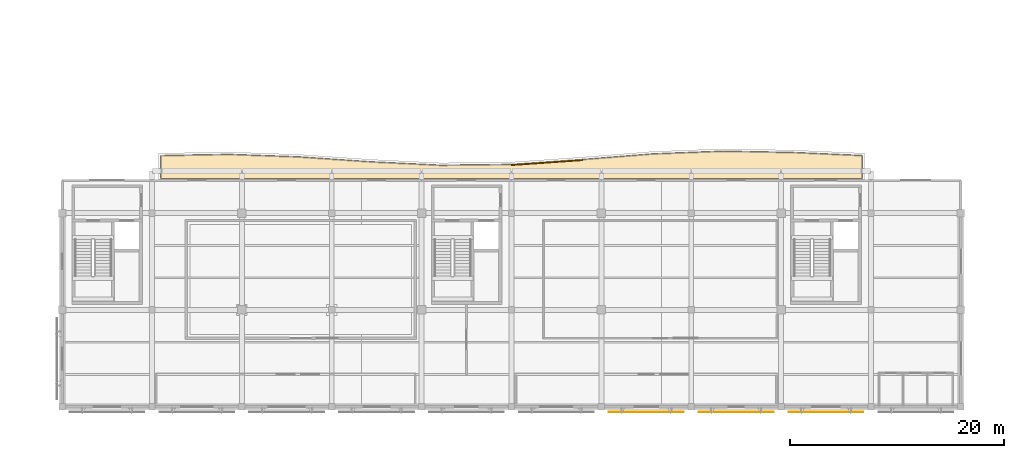
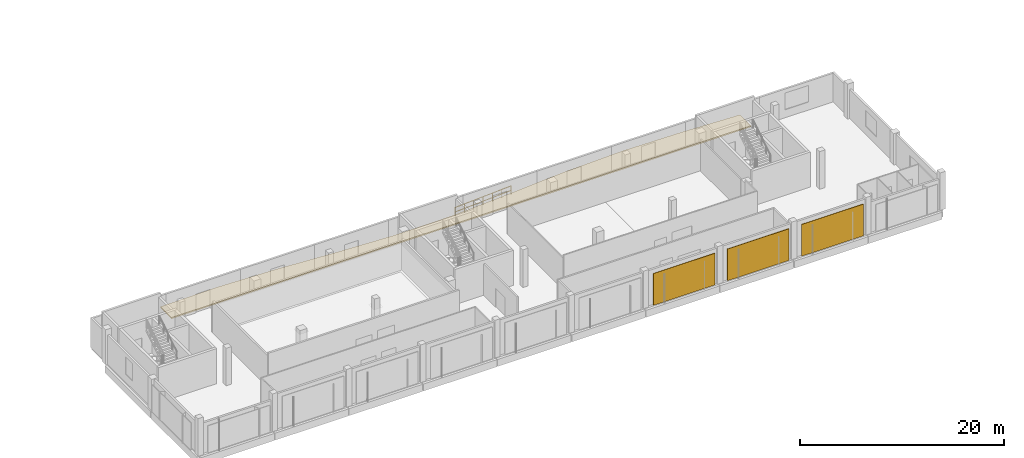
# One storey, part 26 of 28: 3 shading devices, 1 covering, 1 railing.
"""IFC4 building model written with IfcOpenShell, lengths in metres."""

from ifc_helpers import new_model, si_unit, direction, frame, origin, origin_2d, place, context, subcontext, project, spatial, polyline, rectangle, circle, outline, extrude, material, layer, layer_set, type_object, element, save


model = new_model("IFC4")

# Units and contexts
model_context = context("Model", 3, precision=1e-05, world=origin(), true_north=direction((0.0, 1.0)))
body_context = subcontext(model_context, "Body", "Model", "MODEL_VIEW")
ifc_project = project(units=[si_unit("LENGTHUNIT", "METRE"), si_unit("AREAUNIT", "SQUARE_METRE"), si_unit("VOLUMEUNIT", "CUBIC_METRE"), si_unit("PLANEANGLEUNIT", "RADIAN"), si_unit("MASSUNIT", "GRAM", prefix="KILO")], contexts=[model_context])

# Site, building, storey
site_placement = place(None, origin())
site = spatial("IfcSite", under=ifc_project, at=site_placement, CompositionType="ELEMENT")
building_placement = place(site_placement, origin())
building = spatial("IfcBuilding", under=site, at=building_placement, Name="Khurvash Pelagic Aquarium", CompositionType="ELEMENT")
storey_placement = place(building_placement, frame((0.0, 0.0, 20.10009765625)))
storey = spatial("IfcBuildingStorey", under=building, at=storey_placement, Name="L04", CompositionType="ELEMENT", Elevation=20.10009765625)

# Railing
ifc_material_1 = material(Name="Laminated glass and stainless steel 316", Category="steel")
railing_type = type_object("IfcRailingType", Name="BL-01", PredefinedType="BALUSTRADE", material=ifc_material_1)
railing_placement = place(storey_placement, frame((67.218994140625, 25.200927734375, 0.0)))
element("IfcRailing", 1, at=railing_placement, inside=storey, type_object=railing_type, Name="L04 Planted Terrace Perimeter Balustrade BL-01 0062", PredefinedType="BALUSTRADE", context=body_context, shape_type="SweptSolid", body=[
    extrude(circle(Radius=0.02392578125, at=origin_2d()), frame((0.0, 0.0, 1.076171875), z_axis=(0.997611074227, 0.069080710622, 0.0), x_axis=(-0.069080710622, 0.997611074227, 0.0)), (0.0, 0.0, 1.0), 6.615966796875),
    extrude(circle(Radius=0.02392578125, at=origin_2d()), frame((0.0, 0.0, 0.5380859375), z_axis=(0.997611074227, 0.069080710622, 0.0), x_axis=(-0.069080710622, 0.997611074227, 0.0)), (0.0, 0.0, 1.0), 6.615966796875),
    extrude(circle(Radius=0.02099609375, at=origin_2d()), origin(), (0.0, 0.0, 1.0), 1.052001953125),
    extrude(circle(Radius=0.02099609375, at=origin_2d()), frame((1.10009765625, 0.076171875, 0.0)), (0.0, 0.0, 1.0), 1.052001953125),
    extrude(circle(Radius=0.02099609375, at=origin_2d()), frame((2.199951171875, 0.15234375, 0.0)), (0.0, 0.0, 1.0), 1.052001953125),
    extrude(circle(Radius=0.02099609375, at=origin_2d()), frame((3.300048828125, 0.228515625, 0.0)), (0.0, 0.0, 1.0), 1.052001953125),
    extrude(circle(Radius=0.02099609375, at=origin_2d()), frame((4.400146484375, 0.3046875, 0.0)), (0.0, 0.0, 1.0), 1.052001953125),
    extrude(circle(Radius=0.02099609375, at=origin_2d()), frame((5.5, 0.380859375, 0.0)), (0.0, 0.0, 1.0), 1.052001953125),
    extrude(circle(Radius=0.02099609375, at=origin_2d()), frame((6.60009765625, 0.45703125, 0.0)), (0.0, 0.0, 1.0), 1.052001953125),
])

# Covering
ifc_material_2 = material(Name="Vegetated monsoon-retention substrate and drainage mat", Category="earth")
ifc_layer_1 = layer(ifc_material_2, 0.14990234375)
ifc_layer_set_1 = layer_set([ifc_layer_1], Name="Vegetated monsoon-retention substrate and drainage mat")
covering_type = type_object("IfcCoveringType", Name="CV-RF02", PredefinedType="ROOFING", material=ifc_layer_set_1)
covering_placement = place(storey_placement, origin())
element("IfcCovering", 2, at=covering_placement, inside=storey, type_object=covering_type, Name="L04 Monsoon Retention Terrace Substrate TERR_L04_S", PredefinedType="ROOFING", context=body_context, shape_type="SweptSolid", body=[
    extrude(outline(polyline([(34.39990234375, 23.949951171875), (34.39990234375, 26.10400390625), (40.798095703125, 26.218017578125), (47.389892578125, 25.98095703125), (53.986083984375, 25.52587890625), (53.989990234375, 25.52587890625), (60.590087890625, 25.200927734375), (60.60205078125, 25.200927734375), (67.201904296875, 25.280029296875), (67.214111328125, 25.280029296875), (73.81396484375, 25.737060546875), (73.81591796875, 25.738037109375), (80.412109375, 26.263916015625), (87.001953125, 26.51708984375), (93.593994140625, 26.39208984375), (100.0, 26.10888671875), (100.0, 23.949951171875), (34.39990234375, 23.949951171875)])), origin(), (0.0, 0.0, 1.0), 0.14990234375),
])

# Shading devices
ifc_material_3 = material(Name="Perforated anodised aluminium AW-5005", Category="aluminium")
ifc_layer_2 = layer(ifc_material_3, 0.06005859375)
ifc_layer_set_2 = layer_set([ifc_layer_2], Name="Perforated anodised aluminium AW-5005")
shading_device_type = type_object("IfcShadingDeviceType", Name="SH-JAL", PredefinedType="JALOUSIE", material=ifc_layer_set_2)
for number, where, z_axis, x_axis, name in (
    (3, (79.800048828125, 2.110107421875, 0.19970703125), (0.0, 0.0, 1.0), (1.0, 0.0, 0.0), "L04 Perforated Aluminium Jali Screen SH-JAL 0061"),
    (4, (88.199951171875, 2.110107421875, 0.19970703125), (0.0, 0.0, 1.0), (1.0, 0.0, 0.0), "L04 Perforated Aluminium Jali Screen SH-JAL 0062"),
    (5, (96.60009765625, 2.110107421875, 0.19970703125), (0.0, 0.0, 1.0), (1.0, 0.0, 0.0), "L04 Perforated Aluminium Jali Screen SH-JAL 0063"),
):
    element("IfcShadingDevice", number, at=place(storey_placement, frame(where, z_axis=z_axis, x_axis=x_axis)), inside=storey, type_object=shading_device_type, Name=name, PredefinedType="JALOUSIE", context=body_context, shape_type="SweptSolid", body=[
        extrude(rectangle(XDim=6.989990234375, YDim=0.06005859375, at=origin_2d()), origin(), (0.0, 0.0, 1.0), 3.800048828125),
    ])

save(model, "model.ifc")
